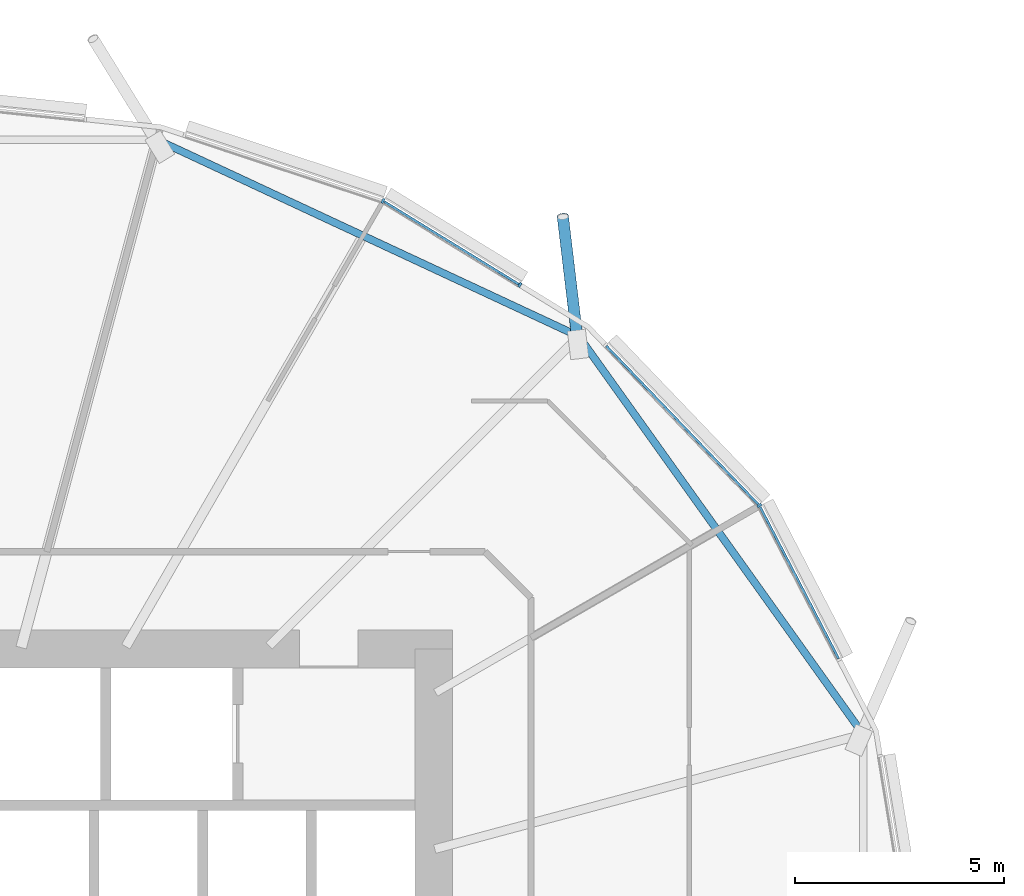
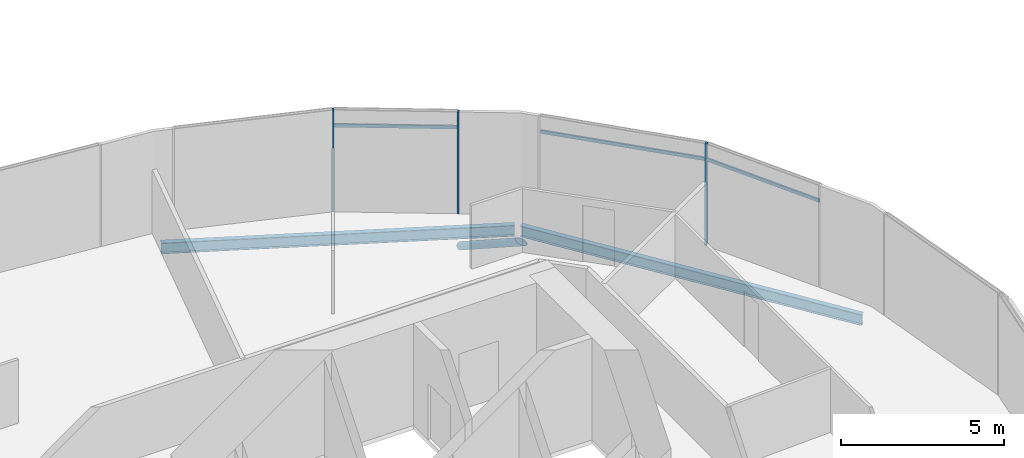
# One storey, part 10 of 38: 7 members, 2 beams, 1 element without a shape of its own.
"""IFC4 building model written with IfcOpenShell, lengths in metres."""

from ifc_helpers import new_model, si_unit, direction, frame, origin, origin_2d, place, context, subcontext, project, spatial, rectangle, hollow_circle, i_section, extrude, clip, halfspace, material, material_profile, profile_set, type_object, element, aggregate, save


model = new_model("IFC4")

# Units and contexts
model_context = context("Model", 3, precision=1e-05, world=origin(), true_north=direction((0.0, 1.0)))
body_context = subcontext(model_context, "Body", "Model", "MODEL_VIEW")
ifc_project = project(units=[si_unit("LENGTHUNIT", "METRE"), si_unit("AREAUNIT", "SQUARE_METRE"), si_unit("VOLUMEUNIT", "CUBIC_METRE"), si_unit("PLANEANGLEUNIT", "RADIAN"), si_unit("MASSUNIT", "GRAM", prefix="KILO")], contexts=[model_context])

# Site, building, storey
site_placement = place(None, origin())
site = spatial("IfcSite", under=ifc_project, at=site_placement, CompositionType="ELEMENT")
building_placement = place(site_placement, origin())
building = spatial("IfcBuilding", under=site, at=building_placement, Name="Rimbun Link Towers", CompositionType="ELEMENT")
storey_placement = place(building_placement, frame((0.0, 0.0, 71.800048828125)))
storey = spatial("IfcBuildingStorey", under=building, at=storey_placement, Name="L17", CompositionType="ELEMENT", Elevation=71.800048828125)

# Curtain wall, members
ifc_material_1 = material(Name="Aluminium 6063-T6 and low-iron glass", Category="aluminium")
curtain_wall_type = type_object("IfcCurtainWallType", Name="CW1 unitised vision wall", PredefinedType="NOTDEFINED", material=ifc_material_1)
curtain_wall_placement = place(storey_placement, origin())
curtain_wall = element("IfcCurtainWall", 1, at=curtain_wall_placement, inside=storey, type_object=curtain_wall_type, Name="CW1 L17 T1", PredefinedType="NOTDEFINED")
ifc_material_2 = material(Name="Aluminium 6063-T6", Category="aluminium")
ifc_material_profile_1 = material_profile(ifc_material_2, rectangle(XDim=0.1201171875, YDim=0.06005859375, at=origin_2d()), Name="MULLION 60X120")
ifc_profile_set_1 = profile_set([ifc_material_profile_1], Name="Aluminium 6063-T6")
member_type_1 = type_object("IfcMemberType", Name="CW1 mullion 60X120", PredefinedType="MULLION", material=ifc_profile_set_1)
member_1_placement = place(storey_placement, frame((-11.972412109375, 11.42529296875, 0.0), z_axis=(0.0, 0.0, 1.0), x_axis=(0.813351214919, 0.581772980801, 0.0)))
member_1 = element("IfcMember", 2, at=member_1_placement, type_object=member_type_1, Name="CW1 mullion", PredefinedType="MULLION", context=body_context, shape_type="SweptSolid", body=[
    extrude(rectangle(XDim=0.1201171875, YDim=0.06005859375, at=origin_2d()), origin(), (0.0, 0.0, 1.0), 3.800048828125),
])
member_2_placement = place(storey_placement, frame((-20.959716796875, 18.699951171875, 0.0), z_axis=(0.0, 0.0, 1.0), x_axis=(0.421698890318, 0.906735929532, 0.0)))
member_2 = element("IfcMember", 3, at=member_2_placement, type_object=member_type_1, Name="CW1 mullion", PredefinedType="MULLION", context=body_context, shape_type="SweptSolid", body=[
    extrude(rectangle(XDim=0.1201171875, YDim=0.06005859375, at=origin_2d()), origin(), (0.0, 0.0, 1.0), 3.800048828125),
])
member_3_placement = place(storey_placement, frame((-17.690185546875, 16.69287109375, 0.0), z_axis=(0.0, 0.0, 1.0), x_axis=(0.523239240316, 0.852185835011, 0.0)))
member_3 = element("IfcMember", 4, at=member_3_placement, type_object=member_type_1, Name="CW1 mullion", PredefinedType="MULLION", context=body_context, shape_type="SweptSolid", body=[
    extrude(rectangle(XDim=0.1201171875, YDim=0.06005859375, at=origin_2d()), origin(), (0.0, 0.0, 1.0), 3.800048828125),
])
ifc_material_3 = material(Name="Aluminium 6063-T6", Category="aluminium")
ifc_material_profile_2 = material_profile(ifc_material_3, rectangle(XDim=0.06005859375, YDim=0.1201171875, at=origin_2d()), Name="TRANSOM 60X120")
ifc_profile_set_2 = profile_set([ifc_material_profile_2], Name="Aluminium 6063-T6")
member_type_2 = type_object("IfcMemberType", Name="CW1 transom 60X120", PredefinedType="USERDEFINED", material=ifc_profile_set_2)
member_4_placement = place(storey_placement, frame((-11.955810546875, 11.390625, 3.199951171875), z_axis=(0.45955652042, -0.888148526171, 0.0), x_axis=(0.888148526171, 0.45955652042, 0.0)))
member_4 = element("IfcMember", 5, at=member_4_placement, type_object=member_type_2, Name="CW1 transom", ObjectType="TRANSOM", PredefinedType="USERDEFINED", context=body_context, shape_type="SweptSolid", body=[
    extrude(rectangle(XDim=0.06005859375, YDim=0.1201171875, at=origin_2d()), origin(), (0.0, 0.0, 1.0), 4.076416015625),
])
member_5_placement = place(storey_placement, frame((-15.62451171875, 15.23291015625, 3.199951171875), z_axis=(0.692056205714, -0.721843617505, 0.0), x_axis=(0.721843617505, 0.692056205714, 0.0)))
member_5 = element("IfcMember", 6, at=member_5_placement, type_object=member_type_2, Name="CW1 transom", ObjectType="TRANSOM", PredefinedType="USERDEFINED", context=body_context, shape_type="SweptSolid", body=[
    extrude(rectangle(XDim=0.06005859375, YDim=0.1201171875, at=origin_2d()), origin(), (0.0, 0.0, 1.0), 5.2373046875),
])
member_6_placement = place(storey_placement, frame((-20.92919921875, 18.67919921875, 3.199951171875), z_axis=(0.852184905229, -0.523240754624, 0.0), x_axis=(0.523240754624, 0.852184905229, 0.0)))
member_6 = element("IfcMember", 7, at=member_6_placement, type_object=member_type_2, Name="CW1 transom", ObjectType="TRANSOM", PredefinedType="USERDEFINED", context=body_context, shape_type="SweptSolid", body=[
    extrude(rectangle(XDim=0.06005859375, YDim=0.1201171875, at=origin_2d()), origin(), (0.0, 0.0, 1.0), 3.76953125),
])
aggregate(curtain_wall, [member_1, member_2, member_3, member_4, member_5, member_6])

# Member
ifc_material_4 = material(Name="Steel S355J2H", Category="steel")
ifc_material_profile_3 = material_profile(ifc_material_4, hollow_circle(Radius=0.136474609375, WallThickness=0.012451171875, at=origin_2d()), Name="CHS 273x12.5")
ifc_profile_set_3 = profile_set([ifc_material_profile_3], Name="Steel S355J2H")
member_type_3 = type_object("IfcMemberType", Name="Floor edge link CHS 273x12.5", PredefinedType="BRACE", material=ifc_profile_set_3)
member_7_placement = place(storey_placement, frame((-16.319580078125, 15.430419921875, -0.809814453125), z_axis=(-0.100911375777, 0.847741014291, -0.520722639154), x_axis=(-0.992989672948, -0.118201139665, 0.0)))
element("IfcMember", 8, at=member_7_placement, inside=storey, type_object=member_type_3, Name="Floor edge link T1 L17 03", PredefinedType="BRACE", context=body_context, shape_type="Clipping", body=[
    clip(extrude(hollow_circle(Radius=0.136474609375, WallThickness=0.012451171875, at=origin_2d()), frame((0.0, 0.0, -0.466796875)), (0.0, 0.0, 1.0), 3.89501953125), halfspace(frame((0.0, 0.0, -0.22021484375), z_axis=(0.0, 0.853725912147, -0.520722639154)), False)),
])

# Beams
ifc_material_5 = material(Name="Steel S355J2", Category="steel")
ifc_material_profile_4 = material_profile(ifc_material_5, i_section(OverallWidth=0.177978515625, OverallDepth=0.406494140625, WebThickness=0.0078125, FlangeThickness=0.0126953125, at=origin_2d()), Name="UB 406x178x60")
ifc_profile_set_4 = profile_set([ifc_material_profile_4], Name="Steel S355J2")
beam_type = type_object("IfcBeamType", Name="UB 406x178x60", PredefinedType="BEAM", material=ifc_profile_set_4)
beam_1_placement = place(storey_placement, frame((-9.56005859375, 6.05517578125, -0.36328125), z_axis=(-0.581367171952, 0.813641328459, 0.0), x_axis=(-0.813641328459, -0.581367171952, 0.0)))
element("IfcBeam", 9, at=beam_1_placement, inside=storey, type_object=beam_type, Name="Edge beam T1 L17 01-03", PredefinedType="BEAM", context=body_context, shape_type="SweptSolid", body=[
    extrude(i_section(OverallWidth=0.177978515625, OverallDepth=0.406494140625, WebThickness=0.0078125, FlangeThickness=0.0126953125, at=origin_2d()), origin(), (0.0, 0.0, 1.0), 11.458984375),
])
beam_2_placement = place(storey_placement, frame((-16.385986328125, 15.51318359375, -0.36328125), z_axis=(-0.906379422837, 0.422464604266, 0.0), x_axis=(-0.422464604266, -0.906379422837, 0.0)))
element("IfcBeam", 10, at=beam_2_placement, inside=storey, type_object=beam_type, Name="Edge beam T1 L17 03-05", PredefinedType="BEAM", context=body_context, shape_type="SweptSolid", body=[
    extrude(i_section(OverallWidth=0.177978515625, OverallDepth=0.406494140625, WebThickness=0.0078125, FlangeThickness=0.0126953125, at=origin_2d()), origin(), (0.0, 0.0, 1.0), 10.862060546875),
])

save(model, "model.ifc")
